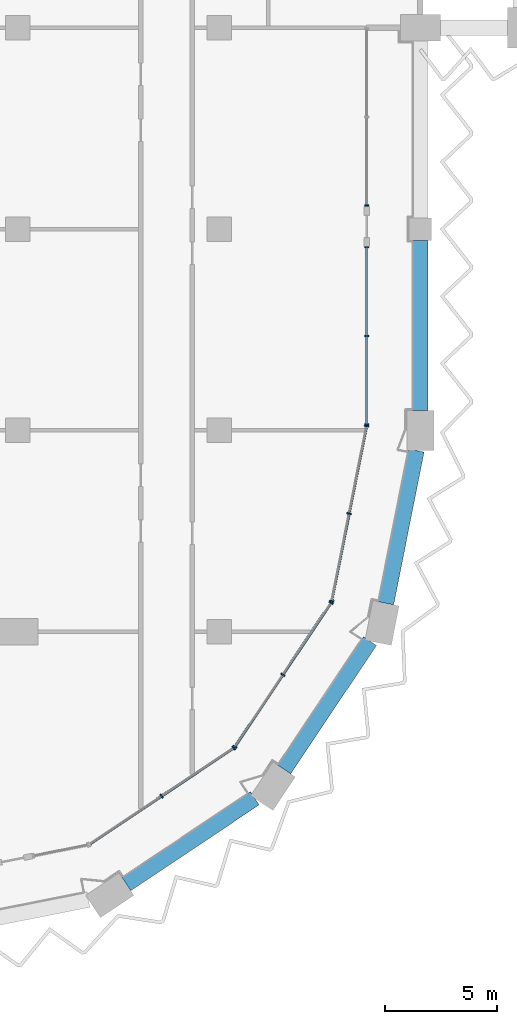
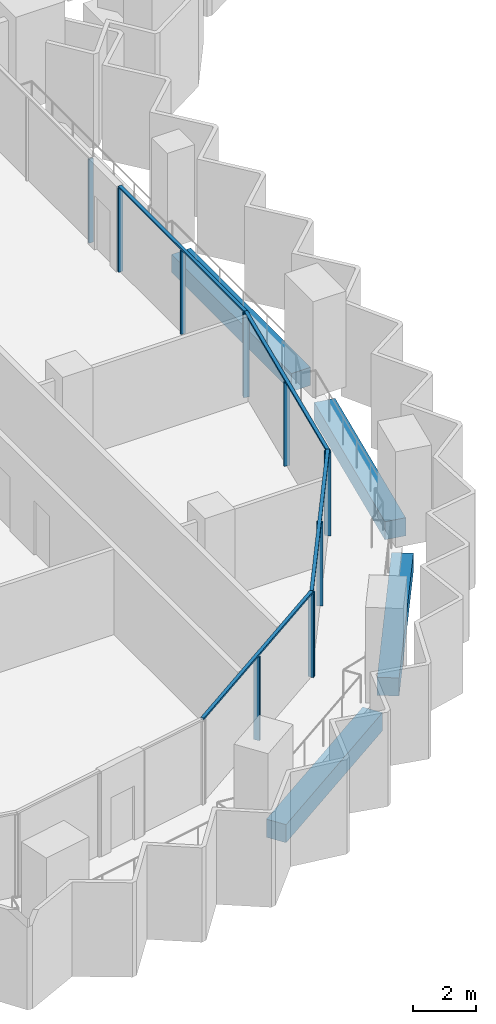
# One storey, part 3 of 17: 16 members, 4 beams, 5 elements without a shape of their own.
"""IFC4 building model written with IfcOpenShell, lengths in metres."""

from ifc_helpers import new_model, si_unit, direction, frame, origin, origin_2d, place, context, subcontext, project, spatial, rectangle, extrude, material, material_profile, profile_set, type_object, element, aggregate, save


model = new_model("IFC4")

# Units and contexts
model_context = context("Model", 3, precision=1e-05, world=origin(), true_north=direction((0.0, 1.0)))
body_context = subcontext(model_context, "Body", "Model", "MODEL_VIEW")
ifc_project = project(units=[si_unit("LENGTHUNIT", "METRE"), si_unit("AREAUNIT", "SQUARE_METRE"), si_unit("VOLUMEUNIT", "CUBIC_METRE"), si_unit("PLANEANGLEUNIT", "RADIAN"), si_unit("MASSUNIT", "GRAM", prefix="KILO")], contexts=[model_context])

# Site, building, storey
site_placement = place(None, origin())
site = spatial("IfcSite", under=ifc_project, at=site_placement, CompositionType="ELEMENT")
building_placement = place(site_placement, origin())
building = spatial("IfcBuilding", under=site, at=building_placement, Name="Hunhe Ridgeline Campus", CompositionType="ELEMENT")
storey_placement = place(building_placement, frame((0.0, 0.0, 190.199951171875)))
storey = spatial("IfcBuildingStorey", under=building, at=storey_placement, Name="L48", CompositionType="ELEMENT", Elevation=190.199951171875)

# Curtain wall, members
ifc_material_1 = material(Name="Aluminium 6063", Category="aluminium")
curtain_wall_type_1 = type_object("IfcCurtainWallType", Name="Curtain wall CW-1", PredefinedType="NOTDEFINED", material=ifc_material_1)
curtain_wall_1_placement = place(storey_placement, origin())
curtain_wall_1 = element("IfcCurtainWall", 1, at=curtain_wall_1_placement, inside=storey, type_object=curtain_wall_type_1, Name="Curtain wall 11", PredefinedType="NOTDEFINED")
ifc_material_profile_1 = material_profile(ifc_material_1, rectangle(XDim=0.159912109375, YDim=0.06005859375, at=origin_2d()))
ifc_profile_set_1 = profile_set([ifc_material_profile_1], Name="Aluminium 6063")
member_type_1 = type_object("IfcMemberType", Name="CW-1 aluminium mullion", PredefinedType="MULLION", material=ifc_profile_set_1)
member_1_placement = place(storey_placement, frame((42.59912109375, 36.266357421875, 0.0), z_axis=(0.0, 0.0, 1.0), x_axis=(-0.999999999978, 6.639948e-06, 0.0)))
member_1 = element("IfcMember", 2, at=member_1_placement, type_object=member_type_1, Name="CW-1 mullion 1", PredefinedType="MULLION", context=body_context, shape_type="SweptSolid", body=[
    extrude(rectangle(XDim=0.159912109375, YDim=0.06005859375, at=origin_2d()), origin(), (0.0, 0.0, 1.0), 3.239990234375),
])
member_2_placement = place(storey_placement, frame((42.59912109375, 40.2275390625, 0.0), z_axis=(0.0, 0.0, 1.0), x_axis=(-0.999999999978, 6.639948e-06, 0.0)))
member_2 = element("IfcMember", 3, at=member_2_placement, type_object=member_type_1, Name="CW-1 mullion 2", PredefinedType="MULLION", context=body_context, shape_type="SweptSolid", body=[
    extrude(rectangle(XDim=0.159912109375, YDim=0.06005859375, at=origin_2d()), origin(), (0.0, 0.0, 1.0), 3.239990234375),
])
member_3_placement = place(storey_placement, frame((42.59912109375, 44.1884765625, 0.0), z_axis=(0.0, 0.0, 1.0), x_axis=(-0.999999999978, 6.639948e-06, 0.0)))
member_3 = element("IfcMember", 4, at=member_3_placement, type_object=member_type_1, Name="CW-1 mullion 3", PredefinedType="MULLION", context=body_context, shape_type="SweptSolid", body=[
    extrude(rectangle(XDim=0.159912109375, YDim=0.06005859375, at=origin_2d()), origin(), (0.0, 0.0, 1.0), 3.239990234375),
])

# Curtain wall, member
curtain_wall_2_placement = place(storey_placement, origin())
curtain_wall_2 = element("IfcCurtainWall", 5, at=curtain_wall_2_placement, inside=storey, type_object=curtain_wall_type_1, Name="Curtain wall 12", PredefinedType="NOTDEFINED")
member_4_placement = place(storey_placement, frame((42.59912109375, 46.048583984375, 0.0), z_axis=(0.0, 0.0, 1.0), x_axis=(-0.999999999978, 6.639948e-06, 0.0)))
member_4 = element("IfcMember", 6, at=member_4_placement, type_object=member_type_1, Name="CW-1 mullion 1", PredefinedType="MULLION", context=body_context, shape_type="SweptSolid", body=[
    extrude(rectangle(XDim=0.159912109375, YDim=0.06005859375, at=origin_2d()), origin(), (0.0, 0.0, 1.0), 3.239990234375),
])
aggregate(curtain_wall_2, [member_4])

# Member
ifc_material_profile_2 = material_profile(ifc_material_1, rectangle(XDim=0.1201171875, YDim=0.06005859375, at=origin_2d()))
ifc_profile_set_2 = profile_set([ifc_material_profile_2], Name="Aluminium 6063")
member_type_2 = type_object("IfcMemberType", Name="CW-1 aluminium transom", PredefinedType="USERDEFINED", material=ifc_profile_set_2)
member_5_placement = place(storey_placement, frame((42.59912109375, 36.236572265625, 3.27001953125), z_axis=(0.0, 1.0, 0.0), x_axis=(-1.0, 0.0, 0.0)))
member_5 = element("IfcMember", 7, at=member_5_placement, type_object=member_type_2, Name="CW-1 transom 1", ObjectType="TRANSOM", PredefinedType="USERDEFINED", context=body_context, shape_type="SweptSolid", body=[
    extrude(rectangle(XDim=0.1201171875, YDim=0.06005859375, at=origin_2d()), origin(), (0.0, 0.0, 1.0), 7.98193359375),
])

aggregate(curtain_wall_1, [member_5, member_1, member_2, member_3])

# Curtain wall, members
curtain_wall_type_2 = type_object("IfcCurtainWallType", Name="Curtain wall CW-5", PredefinedType="NOTDEFINED", material=ifc_material_1)
curtain_wall_3_placement = place(storey_placement, origin())
curtain_wall_3 = element("IfcCurtainWall", 8, at=curtain_wall_3_placement, inside=storey, type_object=curtain_wall_type_2, Name="Curtain wall 08", PredefinedType="NOTDEFINED")
ifc_material_profile_3 = material_profile(ifc_material_1, rectangle(XDim=0.199951171875, YDim=0.070068359375, at=origin_2d()))
ifc_profile_set_3 = profile_set([ifc_material_profile_3], Name="Aluminium 6063")
member_type_3 = type_object("IfcMemberType", Name="CW-5 aluminium mullion", PredefinedType="MULLION", material=ifc_profile_set_3)
member_6_placement = place(storey_placement, frame((33.42626953125, 19.647705078125, 0.0), z_axis=(0.0, 0.0, 1.0), x_axis=(-0.555570274596, 0.831469584522, 0.0)))
member_6 = element("IfcMember", 9, at=member_6_placement, type_object=member_type_3, Name="CW-5 mullion 2", PredefinedType="MULLION", context=body_context, shape_type="SweptSolid", body=[
    extrude(rectangle(XDim=0.199951171875, YDim=0.070068359375, at=origin_2d()), origin(), (0.0, 0.0, 1.0), 3.22998046875),
])
member_7_placement = place(storey_placement, frame((36.649658203125, 21.8017578125, 0.0), z_axis=(0.0, 0.0, 1.0), x_axis=(-0.555570274596, 0.831469584522, 0.0)))
member_7 = element("IfcMember", 10, at=member_7_placement, type_object=member_type_3, Name="CW-5 mullion 3", PredefinedType="MULLION", context=body_context, shape_type="SweptSolid", body=[
    extrude(rectangle(XDim=0.199951171875, YDim=0.070068359375, at=origin_2d()), origin(), (0.0, 0.0, 1.0), 3.22998046875),
])

curtain_wall_4_placement = place(storey_placement, origin())
curtain_wall_4 = element("IfcCurtainWall", 11, at=curtain_wall_4_placement, inside=storey, type_object=curtain_wall_type_2, Name="Curtain wall 09", PredefinedType="NOTDEFINED")
member_8_placement = place(storey_placement, frame((36.6982421875, 21.850341796875, 0.0), z_axis=(0.0, 0.0, 1.0), x_axis=(-0.831469584522, 0.555570274596, 0.0)))
member_8 = element("IfcMember", 12, at=member_8_placement, type_object=member_type_3, Name="CW-5 mullion 1", PredefinedType="MULLION", context=body_context, shape_type="SweptSolid", body=[
    extrude(rectangle(XDim=0.199951171875, YDim=0.070068359375, at=origin_2d()), origin(), (0.0, 0.0, 1.0), 3.22998046875),
])
member_9_placement = place(storey_placement, frame((38.852294921875, 25.07373046875, 0.0), z_axis=(0.0, 0.0, 1.0), x_axis=(-0.831469584522, 0.555570274596, 0.0)))
member_9 = element("IfcMember", 13, at=member_9_placement, type_object=member_type_3, Name="CW-5 mullion 2", PredefinedType="MULLION", context=body_context, shape_type="SweptSolid", body=[
    extrude(rectangle(XDim=0.199951171875, YDim=0.070068359375, at=origin_2d()), origin(), (0.0, 0.0, 1.0), 3.22998046875),
])
member_10_placement = place(storey_placement, frame((41.006103515625, 28.29736328125, 0.0), z_axis=(0.0, 0.0, 1.0), x_axis=(-0.831469584522, 0.555570274596, 0.0)))
member_10 = element("IfcMember", 14, at=member_10_placement, type_object=member_type_3, Name="CW-5 mullion 3", PredefinedType="MULLION", context=body_context, shape_type="SweptSolid", body=[
    extrude(rectangle(XDim=0.199951171875, YDim=0.070068359375, at=origin_2d()), origin(), (0.0, 0.0, 1.0), 3.22998046875),
])

curtain_wall_5_placement = place(storey_placement, origin())
curtain_wall_5 = element("IfcCurtainWall", 15, at=curtain_wall_5_placement, inside=storey, type_object=curtain_wall_type_2, Name="Curtain wall 10", PredefinedType="NOTDEFINED")
member_11_placement = place(storey_placement, frame((41.032470703125, 28.36083984375, 0.0), z_axis=(0.0, 0.0, 1.0), x_axis=(-0.980785284939, 0.195090299215, 0.0)))
member_11 = element("IfcMember", 16, at=member_11_placement, type_object=member_type_3, Name="CW-5 mullion 1", PredefinedType="MULLION", context=body_context, shape_type="SweptSolid", body=[
    extrude(rectangle(XDim=0.199951171875, YDim=0.070068359375, at=origin_2d()), origin(), (0.0, 0.0, 1.0), 3.22998046875),
])
member_12_placement = place(storey_placement, frame((41.812255859375, 32.281494140625, 0.0), z_axis=(0.0, 0.0, 1.0), x_axis=(-0.980785284939, 0.195090299215, 0.0)))
member_12 = element("IfcMember", 17, at=member_12_placement, type_object=member_type_3, Name="CW-5 mullion 2", PredefinedType="MULLION", context=body_context, shape_type="SweptSolid", body=[
    extrude(rectangle(XDim=0.199951171875, YDim=0.070068359375, at=origin_2d()), origin(), (0.0, 0.0, 1.0), 3.22998046875),
])
member_13_placement = place(storey_placement, frame((42.59228515625, 36.2021484375, 0.0), z_axis=(0.0, 0.0, 1.0), x_axis=(-0.980785284939, 0.195090299215, 0.0)))
member_13 = element("IfcMember", 18, at=member_13_placement, type_object=member_type_3, Name="CW-5 mullion 3", PredefinedType="MULLION", context=body_context, shape_type="SweptSolid", body=[
    extrude(rectangle(XDim=0.199951171875, YDim=0.070068359375, at=origin_2d()), origin(), (0.0, 0.0, 1.0), 3.22998046875),
])

# Member
ifc_material_profile_4 = material_profile(ifc_material_1, rectangle(XDim=0.1201171875, YDim=0.070068359375, at=origin_2d()))
ifc_profile_set_4 = profile_set([ifc_material_profile_4], Name="Aluminium 6063")
member_type_4 = type_object("IfcMemberType", Name="CW-5 aluminium transom", PredefinedType="USERDEFINED", material=ifc_profile_set_4)
member_14_placement = place(storey_placement, frame((30.173583984375, 17.474365234375, 3.26513671875), z_axis=(0.831473763475, 0.5555640203, 0.0), x_axis=(-0.5555640203, 0.831473763475, 0.0)))
member_14 = element("IfcMember", 19, at=member_14_placement, type_object=member_type_4, Name="CW-5 transom 1", ObjectType="TRANSOM", PredefinedType="USERDEFINED", context=body_context, shape_type="SweptSolid", body=[
    extrude(rectangle(XDim=0.1201171875, YDim=0.070068359375, at=origin_2d()), origin(), (0.0, 0.0, 1.0), 7.823974609375),
])

aggregate(curtain_wall_3, [member_14, member_6, member_7])

member_15_placement = place(storey_placement, frame((36.678955078125, 21.821044921875, 3.26513671875), z_axis=(0.5555640203, 0.831473763475, 0.0), x_axis=(-0.831473763475, 0.5555640203, 0.0)))
member_15 = element("IfcMember", 20, at=member_15_placement, type_object=member_type_4, Name="CW-5 transom 1", ObjectType="TRANSOM", PredefinedType="USERDEFINED", context=body_context, shape_type="SweptSolid", body=[
    extrude(rectangle(XDim=0.1201171875, YDim=0.070068359375, at=origin_2d()), origin(), (0.0, 0.0, 1.0), 7.823974609375),
])

aggregate(curtain_wall_4, [member_15, member_8, member_9, member_10])

member_16_placement = place(storey_placement, frame((41.025634765625, 28.326416015625, 3.26513671875), z_axis=(0.195097290093, 0.980783894341, 0.0), x_axis=(-0.980783894341, 0.195097290093, 0.0)))
member_16 = element("IfcMember", 21, at=member_16_placement, type_object=member_type_4, Name="CW-5 transom 1", ObjectType="TRANSOM", PredefinedType="USERDEFINED", context=body_context, shape_type="SweptSolid", body=[
    extrude(rectangle(XDim=0.1201171875, YDim=0.070068359375, at=origin_2d()), origin(), (0.0, 0.0, 1.0), 8.065185546875),
])

aggregate(curtain_wall_5, [member_16, member_11, member_12, member_13])

# Beams
ifc_material_2 = material(Name="Concrete C50", Category="concrete")
ifc_material_profile_5 = material_profile(ifc_material_2, rectangle(XDim=0.699951171875, YDim=0.699951171875, at=origin_2d()))
ifc_profile_set_5 = profile_set([ifc_material_profile_5], Name="Concrete C50")
beam_type = type_object("IfcBeamType", Name="RC spandrel beam 700x700 Concrete C50", PredefinedType="SPANDREL", material=ifc_profile_set_5)
for number, where, z_axis, x_axis, name in (
    (22, (31.858642578125, 15.712646484375, -0.599853515625), (0.831467796868, 0.55557295, 0.0), (-0.55557295, 0.831467796868, 0.0), "Spandrel beam B3-6 L48"),
    (23, (38.909912109375, 20.83837890625, -0.599853515625), (0.55557295, 0.831467796868, 0.0), (-0.831467796868, 0.55557295, 0.0), "Spandrel beam B3-7 L48"),
):
    element("IfcBeam", number, at=place(storey_placement, frame(where, z_axis=z_axis, x_axis=x_axis)), inside=storey, type_object=beam_type, Name=name, PredefinedType="SPANDREL", context=body_context, shape_type="SweptSolid", body=[
        extrude(rectangle(XDim=0.699951171875, YDim=0.699951171875, at=origin_2d()), origin(), (0.0, 0.0, 1.0), 6.905029296875),
    ])
beam_1_placement = place(storey_placement, frame((43.462890625, 28.272216796875, -0.599853515625), z_axis=(0.195090923217, 0.980785160817, 0.0), x_axis=(-0.980785160817, 0.195090923217, 0.0)))
element("IfcBeam", 24, at=beam_1_placement, inside=storey, type_object=beam_type, Name="Spandrel beam B3-8 L48", PredefinedType="SPANDREL", context=body_context, shape_type="SweptSolid", body=[
    extrude(rectangle(XDim=0.699951171875, YDim=0.699951171875, at=origin_2d()), origin(), (0.0, 0.0, 1.0), 6.961669921875),
])
beam_2_placement = place(storey_placement, frame((45.0, 36.89990234375, -0.599853515625), z_axis=(0.0, 1.0, 0.0), x_axis=(-1.0, 0.0, 0.0)))
element("IfcBeam", 25, at=beam_2_placement, inside=storey, type_object=beam_type, Name="Spandrel beam B3-9 L48", PredefinedType="SPANDREL", context=body_context, shape_type="SweptSolid", body=[
    extrude(rectangle(XDim=0.699951171875, YDim=0.699951171875, at=origin_2d()), origin(), (0.0, 0.0, 1.0), 7.60009765625),
])

save(model, "model.ifc")
